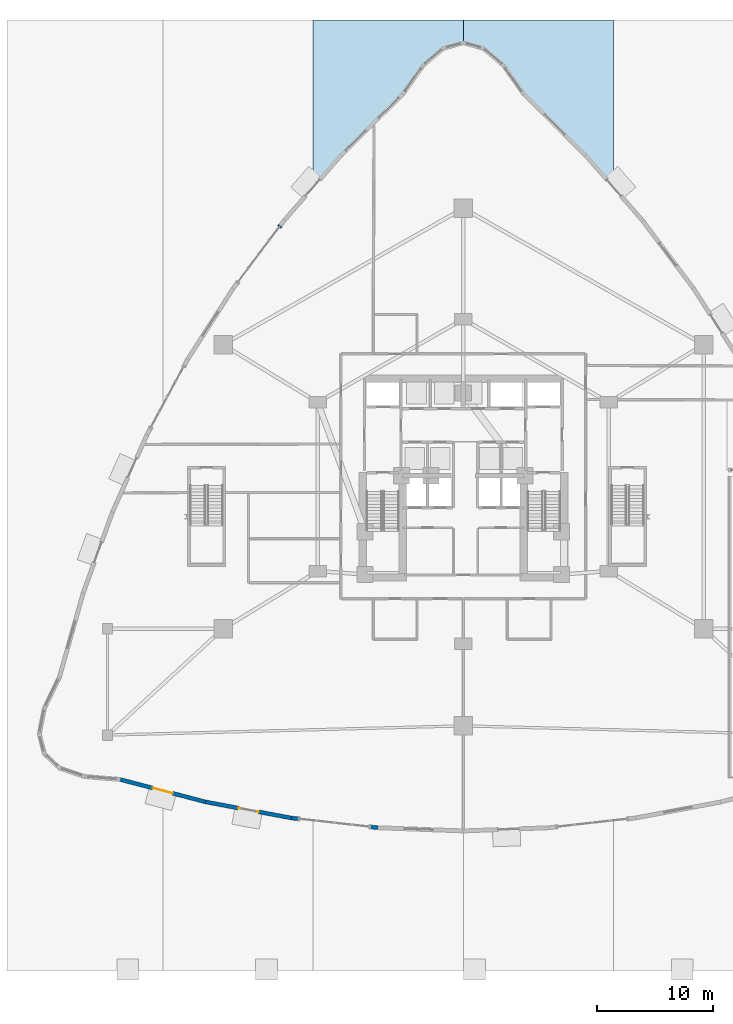
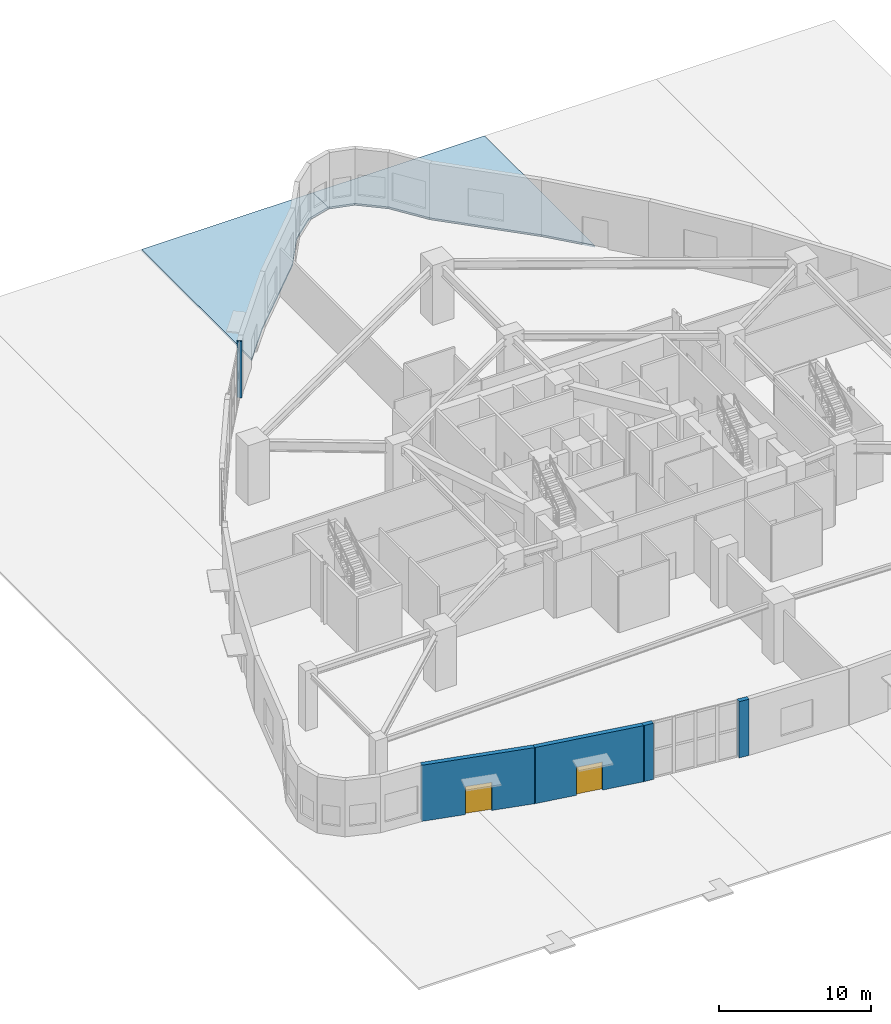
# One storey, part 21 of 32: 4 walls, 2 doors, 2 slabs, 1 plate, 2 openings.
"""IFC4 building model written with IfcOpenShell, lengths in metres."""

from ifc_helpers import new_model, si_unit, direction, frame, frame_2d, origin, origin_2d, place, context, subcontext, project, spatial, polyline, rectangle, outline, extrude, material, layer, layer_set, type_object, element, fill, save


model = new_model("IFC4")

# Units and contexts
model_context = context("Model", 3, precision=1e-05, world=origin(), true_north=direction((0.0, 1.0)))
body_context = subcontext(model_context, "Body", "Model", "MODEL_VIEW")
ifc_project = project(units=[si_unit("LENGTHUNIT", "METRE"), si_unit("AREAUNIT", "SQUARE_METRE"), si_unit("VOLUMEUNIT", "CUBIC_METRE"), si_unit("PLANEANGLEUNIT", "RADIAN"), si_unit("MASSUNIT", "GRAM", prefix="KILO")], contexts=[model_context])

# Site, building, storey
site_placement = place(None, origin())
site = spatial("IfcSite", under=ifc_project, at=site_placement, CompositionType="ELEMENT")
building_placement = place(site_placement, origin())
building = spatial("IfcBuilding", under=site, at=building_placement, Name="Miruveldt Soraemaru", CompositionType="ELEMENT")
storey_placement = place(building_placement, origin())
storey = spatial("IfcBuildingStorey", under=building, at=storey_placement, Name="L01", CompositionType="ELEMENT", Elevation=0.0)

# Plate
ifc_material_1 = material(Name="Anodised aluminium EN AW-6063 T6", Category="aluminium")
ifc_layer_1 = layer(ifc_material_1, 0.030029296875, Name="Anodised aluminium EN AW-6063 T6", Category="aluminium")
ifc_layer_set_1 = layer_set([ifc_layer_1], Name="Anodised aluminium EN AW-6063 T6")
plate_type = type_object("IfcPlateType", Name="PLT-JAMB-30", PredefinedType="SHEET", material=ifc_layer_set_1)
plate_placement = place(storey_placement, frame((28.112548828125, 65.639404296875, 0.0), z_axis=(0.0, 0.0, 1.0), x_axis=(-0.600741190937, -0.799443569936, 0.0)))
element("IfcPlate", 1, at=plate_placement, inside=storey, type_object=plate_type, Name="L01 Curtain Wall Jamb Closure Trim 9JL", PredefinedType="SHEET", context=body_context, shape_type="SweptSolid", body=[
    extrude(rectangle(XDim=0.139892578125, YDim=0.340087890625, at=origin_2d()), origin(), (0.0, 0.0, 1.0), 4.5),
])

# Slabs
ifc_material_2 = material(Name="Precast concrete C45/55 (45 MPa)", Category="concrete")
ifc_layer_2 = layer(ifc_material_2, 0.159912109375, Name="Precast concrete C45/55 (45 MPa)", Category="concrete")
ifc_layer_set_2 = layer_set([ifc_layer_2], Name="Precast concrete C45/55 (45 MPa)")
slab_type = type_object("IfcSlabType", Name="SLAB-PAVE-160", PredefinedType="USERDEFINED", material=ifc_layer_set_2)
slab_1_placement = place(storey_placement, frame((0.0, 0.0, -0.159912109375)))
element("IfcSlab", 2, at=slab_1_placement, inside=storey, type_object=slab_type, Name="L01 Waterfront Public Plaza PAVING 3B1", ObjectType="PAVING", PredefinedType="USERDEFINED", context=body_context, shape_type="SweptSolid", body=[
    extrude(outline(polyline([(31.0, 83.5), (44.0, 83.5), (44.0, 81.548583984375), (42.256103515625, 81.055419921875), (40.510986328125, 79.57568359375), (38.768310546875, 77.111572265625), (33.39599609375, 71.778564453125), (31.0, 69.0341796875), (31.0, 83.5)])), origin(), (0.0, 0.0, 1.0), 0.159912109375),
])
slab_2_placement = place(storey_placement, frame((0.0, 0.0, -0.159912109375)))
element("IfcSlab", 3, at=slab_2_placement, inside=storey, type_object=slab_type, Name="L01 Waterfront Public Plaza PAVING 4B1", ObjectType="PAVING", PredefinedType="USERDEFINED", context=body_context, shape_type="SweptSolid", body=[
    extrude(outline(polyline([(44.0, 83.5), (57.0, 83.5), (57.0, 69.0341796875), (54.6044921875, 71.778076171875), (49.231689453125, 77.111572265625), (47.49072265625, 79.57373046875), (45.747802734375, 81.053466796875), (44.002685546875, 81.548095703125), (44.0, 83.5)])), origin(), (0.0, 0.0, 1.0), 0.159912109375),
])

# Wall, opening, door
ifc_layer_3 = layer(ifc_material_2, 0.340087890625, Name="Precast concrete C45/55 (45 MPa)", Category="concrete")
ifc_layer_set_3 = layer_set([ifc_layer_3], Name="Precast concrete C45/55 (45 MPa)")
wall_type = type_object("IfcWallType", Name="WALL-EXT-PC340", PredefinedType="SOLIDWALL", material=ifc_layer_set_3)
wall_1_placement = place(storey_placement, frame((14.230224609375, 17.77294921875, 0.0), z_axis=(0.0, 0.0, 1.0), x_axis=(0.967229709186, -0.253902913864, 0.0)))
wall_1 = element("IfcWall", 4, at=wall_1_placement, inside=storey, type_object=wall_type, Name="L01 Precast Concrete Facade Wall 21", PredefinedType="SOLIDWALL", context=body_context, shape_type="SweptSolid", body=[
    extrude(rectangle(XDim=7.755859375, YDim=0.340087890625, at=frame_2d((3.8779296875, 0.0))), origin(), (0.0, 0.0, 1.0), 4.5),
])
opening_1_placement = place(wall_1_placement, frame((2.97802734375, 0.0, 0.0)))
opening_1 = element("IfcOpeningElement", 5, at=opening_1_placement, cuts=wall_1, Name="Opening ED-1", PredefinedType="OPENING", context=body_context, shape_type="SweptSolid", body=[
    extrude(rectangle(XDim=1.800048828125, YDim=2.25, at=frame_2d((0.89990234375, 1.125))), frame((0.0, 0.18017578125, 0.0), z_axis=(0.0, -1.0, 0.0), x_axis=(1.0, 0.0, 0.0)), (0.0, 0.0, 1.0), 0.360107421875),
])
door_type = type_object("IfcDoorType", Name="DOOR-EXT-1800", OperationType="DOUBLE_DOOR_SINGLE_SWING", PredefinedType="DOOR", material=ifc_material_1)
door_1_placement = place(opening_1_placement, frame((1.800048828125, 0.0, 0.0), z_axis=(0.0, 0.0, 1.0), x_axis=(-1.0, 0.0, 0.0)))
door_1 = element("IfcDoor", 6, at=door_1_placement, inside=storey, type_object=door_type, Name="L01 Pedestrian Final Exit Discharge Door 21", OperationType="DOUBLE_DOOR_SINGLE_SWING", OverallHeight=2.25, OverallWidth=1.800048828125, PredefinedType="DOOR", context=body_context, shape_type="SweptSolid", body=[
    extrude(rectangle(XDim=1.800048828125, YDim=2.25, at=frame_2d((0.89990234375, 1.125))), frame((0.0, 0.02490234375, 0.0), z_axis=(0.0, -1.0, 0.0), x_axis=(1.0, 0.0, 0.0)), (0.0, 0.0, 1.0), 0.050048828125),
])
fill(opening_1, door_1)

wall_2_placement = place(storey_placement, frame((21.663818359375, 15.819091796875, 0.0), z_axis=(0.0, 0.0, 1.0), x_axis=(0.982866755448, -0.184317500623, 0.0)))
wall_2 = element("IfcWall", 7, at=wall_2_placement, inside=storey, type_object=wall_type, Name="L01 Precast Concrete Facade Wall 22", PredefinedType="SOLIDWALL", context=body_context, shape_type="SweptSolid", body=[
    extrude(rectangle(XDim=7.633544921875, YDim=0.340087890625, at=frame_2d((3.81689453125, 0.0))), origin(), (0.0, 0.0, 1.0), 4.5),
])
opening_2_placement = place(wall_2_placement, frame((2.9169921875, 0.0, 0.0)))
opening_2 = element("IfcOpeningElement", 8, at=opening_2_placement, cuts=wall_2, Name="Opening ED-1", PredefinedType="OPENING", context=body_context, shape_type="SweptSolid", body=[
    extrude(rectangle(XDim=1.800048828125, YDim=2.25, at=frame_2d((0.89990234375, 1.125))), frame((0.0, 0.18017578125, 0.0), z_axis=(0.0, -1.0, 0.0), x_axis=(1.0, 0.0, 0.0)), (0.0, 0.0, 1.0), 0.360107421875),
])
door_2_placement = place(opening_2_placement, frame((1.800048828125, 0.0, 0.0), z_axis=(0.0, 0.0, 1.0), x_axis=(-1.0, 0.0, 0.0)))
door_2 = element("IfcDoor", 9, at=door_2_placement, inside=storey, type_object=door_type, Name="L01 Pedestrian Final Exit Discharge Door 22", OperationType="DOUBLE_DOOR_SINGLE_SWING", OverallHeight=2.25, OverallWidth=1.800048828125, PredefinedType="DOOR", context=body_context, shape_type="SweptSolid", body=[
    extrude(rectangle(XDim=1.800048828125, YDim=2.25, at=frame_2d((0.89990234375, 1.125))), frame((0.0, 0.02490234375, 0.0), z_axis=(0.0, -1.0, 0.0), x_axis=(1.0, 0.0, 0.0)), (0.0, 0.0, 1.0), 0.050048828125),
])
fill(opening_2, door_2)

# Walls
for number, where, z_axis, x_axis, name in (
    (10, (29.097412109375, 14.422607421875, 0.0), (0.0, 0.0, 1.0), (0.993722174052, -0.11187600635, 0.0), "L01 Precast Pier Left 23"),
    (11, (35.900390625, 13.6572265625, 0.0), (0.0, 0.0, 1.0), (0.993760623382, -0.111533956336, 0.0), "L01 Precast Pier Right 23"),
):
    element("IfcWall", number, at=place(storey_placement, frame(where, z_axis=z_axis, x_axis=x_axis)), inside=storey, type_object=wall_type, Name=name, PredefinedType="SOLIDWALL", context=body_context, shape_type="SweptSolid", body=[
        extrude(rectangle(XDim=0.704833984375, YDim=0.340087890625, at=frame_2d((0.3525390625, 0.0))), origin(), (0.0, 0.0, 1.0), 4.5),
    ])

save(model, "model.ifc")
